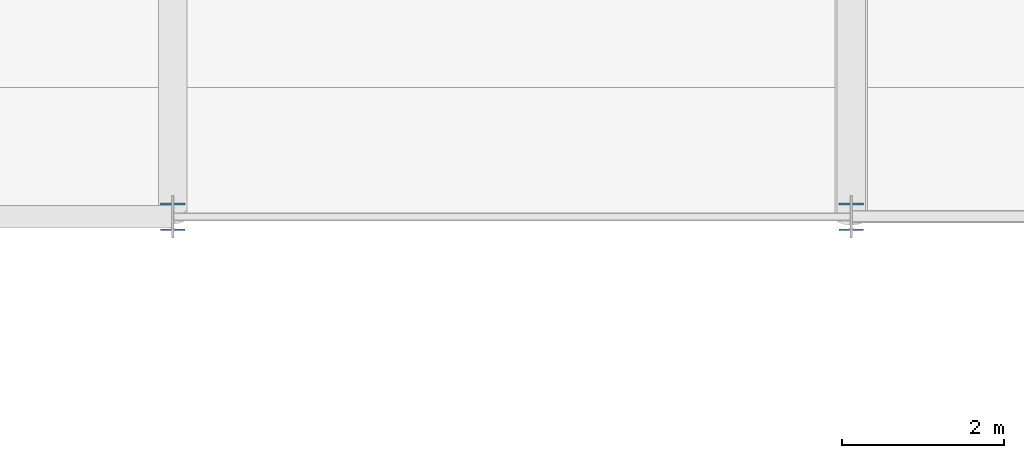
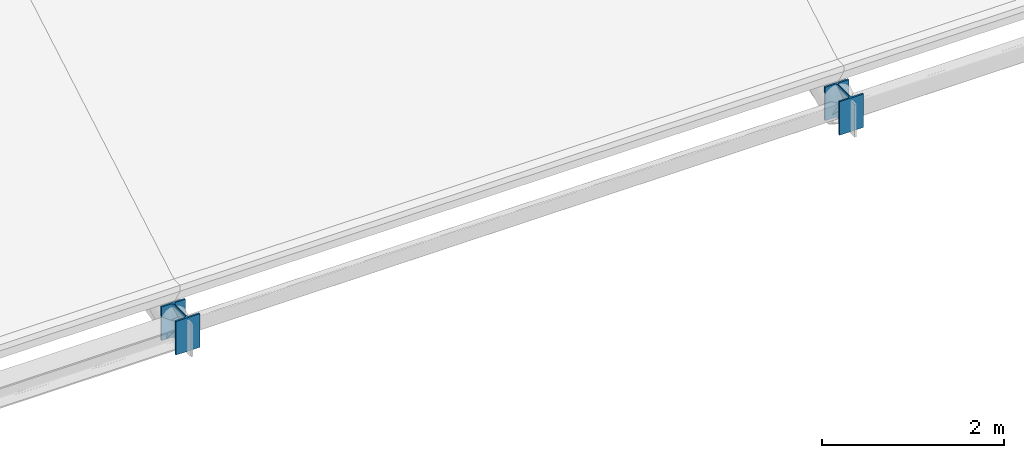
# One storey, part 35 of 54: 2 members.
"""IFC4 building model written with IfcOpenShell, lengths in metres."""

from ifc_helpers import new_model, si_unit, direction, frame, origin, origin_2d, place, context, subcontext, project, spatial, i_section, extrude, material, material_profile, profile_set, type_object, element, save


model = new_model("IFC4")

# Units and contexts
model_context = context("Model", 3, precision=1e-05, world=origin(), true_north=direction((0.0, 1.0)))
body_context = subcontext(model_context, "Body", "Model", "MODEL_VIEW")
ifc_project = project(units=[si_unit("LENGTHUNIT", "METRE"), si_unit("AREAUNIT", "SQUARE_METRE"), si_unit("VOLUMEUNIT", "CUBIC_METRE"), si_unit("PLANEANGLEUNIT", "RADIAN"), si_unit("MASSUNIT", "GRAM", prefix="KILO")], contexts=[model_context])

# Site, building, storey
site_placement = place(None, origin())
site = spatial("IfcSite", under=ifc_project, at=site_placement, CompositionType="ELEMENT")
building_placement = place(site_placement, origin())
building = spatial("IfcBuilding", under=site, at=building_placement, Name="Zulmaris Art Gallery", CompositionType="ELEMENT")
storey_placement = place(building_placement, frame((0.0, 0.0, 26.39990234375)))
storey = spatial("IfcBuildingStorey", under=building, at=storey_placement, Name="L05", CompositionType="ELEMENT", Elevation=26.39990234375)

# Members
ifc_material = material(Name="Steel S355J2", Category="steel")
ifc_material_profile = material_profile(ifc_material, i_section(OverallWidth=0.300048828125, OverallDepth=0.340087890625, WebThickness=0.011962890625, FlangeThickness=0.021484375, FilletRadius=0.027099609375, at=origin_2d()), Name="HEB 340")
ifc_profile_set = profile_set([ifc_material_profile], Name="Steel S355J2")
member_type = type_object("IfcMemberType", Name="MEM-TP04", PredefinedType="POST", material=ifc_profile_set)
for number, where, z_axis, x_axis, name in (
    (1, (57.60009765625, 21.60009765625, -0.699951171875), (0.0, 0.0, 1.0), (1.0, 0.0, 0.0), "Pitched gallery truss TR-R07 bearing shoe 1"),
    (2, (66.0, 21.60009765625, -0.699951171875), (0.0, 0.0, 1.0), (1.0, 0.0, 0.0), "Pitched gallery truss TR-R08 bearing shoe 1"),
):
    element("IfcMember", number, at=place(storey_placement, frame(where, z_axis=z_axis, x_axis=x_axis)), inside=storey, type_object=member_type, Name=name, PredefinedType="POST", context=body_context, shape_type="SweptSolid", body=[
        extrude(i_section(OverallWidth=0.300048828125, OverallDepth=0.340087890625, WebThickness=0.011962890625, FlangeThickness=0.021484375, FilletRadius=0.027099609375, at=origin_2d()), origin(), (0.0, 0.0, 1.0), 0.449951171875),
    ])

save(model, "model.ifc")
